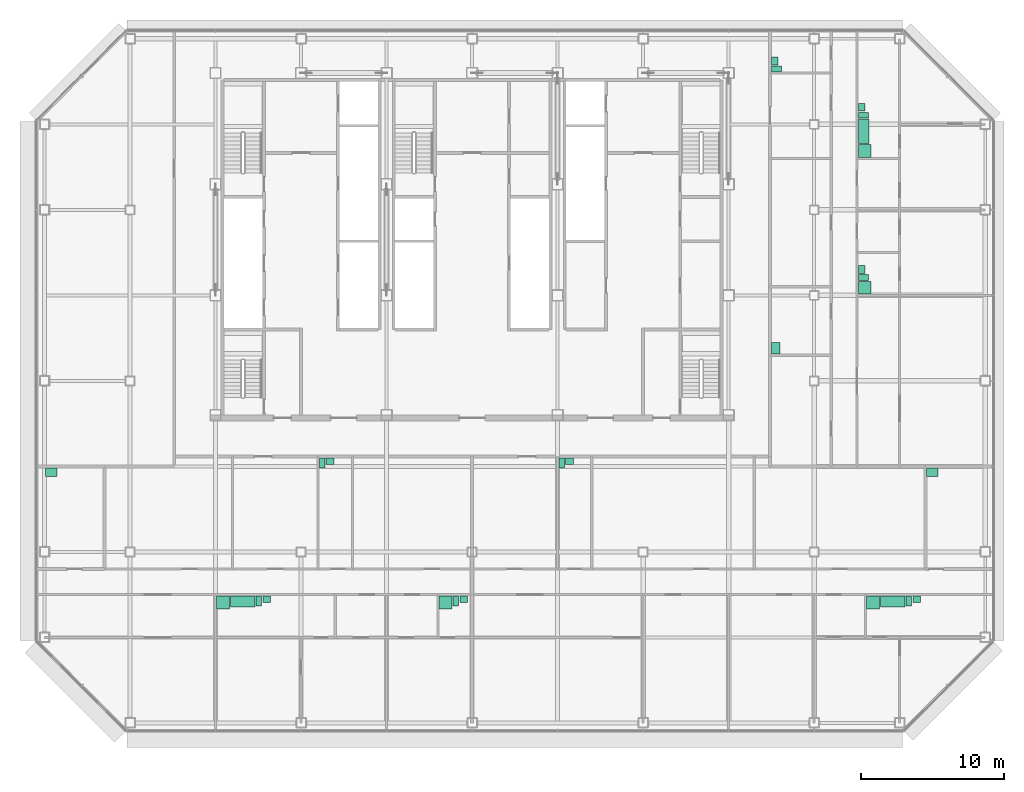
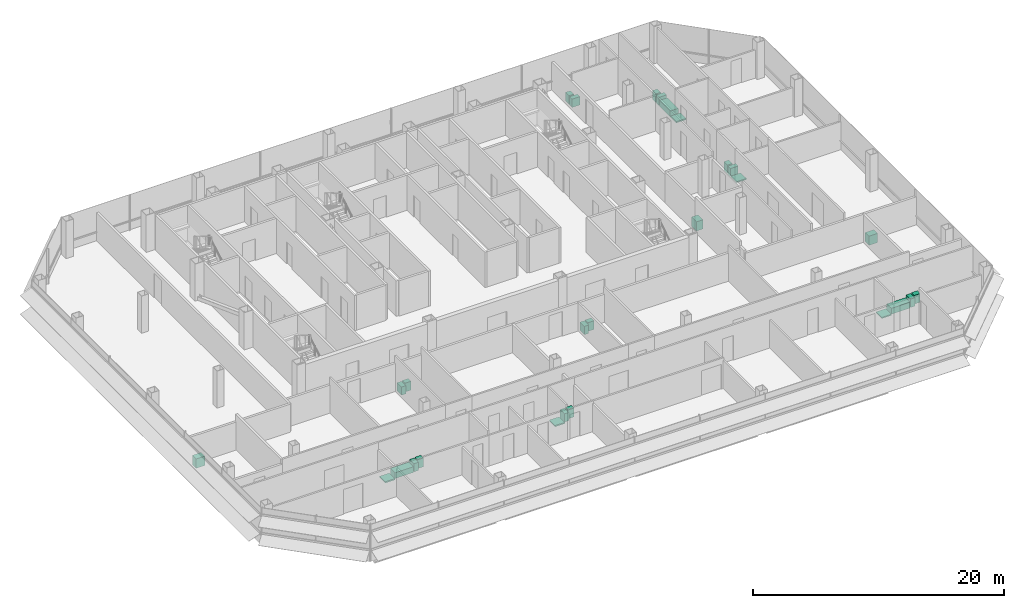
# One storey, part 26 of 26: 27 sanitary terminals.
"""IFC4 building model written with IfcOpenShell, lengths in metres."""

from ifc_helpers import new_model, si_unit, direction, frame, origin, origin_2d, place, context, subcontext, project, spatial, rectangle, extrude, element, save


model = new_model("IFC4")

# Units and contexts
model_context = context("Model", 3, precision=1e-05, world=origin(), true_north=direction((0.0, 1.0)))
body_context = subcontext(model_context, "Body", "Model", "MODEL_VIEW")
ifc_project = project(units=[si_unit("LENGTHUNIT", "METRE"), si_unit("AREAUNIT", "SQUARE_METRE"), si_unit("VOLUMEUNIT", "CUBIC_METRE"), si_unit("PLANEANGLEUNIT", "RADIAN"), si_unit("MASSUNIT", "GRAM", prefix="KILO")], contexts=[model_context])

# Site, building, storey
site_placement = place(None, origin())
site = spatial("IfcSite", under=ifc_project, at=site_placement, CompositionType="ELEMENT")
building_placement = place(site_placement, origin())
building = spatial("IfcBuilding", under=site, at=building_placement, Name="Sorahane Residences", CompositionType="ELEMENT")
storey_placement = place(building_placement, frame((0.0, 0.0, 147.39990234375)))
storey = spatial("IfcBuildingStorey", under=building, at=storey_placement, Name="L33", CompositionType="ELEMENT", Elevation=147.39990234375)

# Sanitary terminals
sanitary_terminal_1_placement = place(storey_placement, frame((6.530029296875, 8.449951171875, 0.0), z_axis=(0.0, 0.0, 1.0), x_axis=(1.0, 0.0, 0.0)))
element("IfcSanitaryTerminal", 1, at=sanitary_terminal_1_placement, inside=storey, Name="Shower tray En-suite bathroom 33A", PredefinedType="SHOWER", context=body_context, shape_type="SweptSolid", body=[
    extrude(rectangle(XDim=0.89990234375, YDim=0.89990234375, at=origin_2d()), origin(), (0.0, 0.0, 1.0), 0.1201171875),
])
sanitary_terminal_2_placement = place(storey_placement, frame((7.909912109375, 8.52490234375, 0.0), z_axis=(0.0, 0.0, 1.0), x_axis=(1.0, 0.0, 0.0)))
element("IfcSanitaryTerminal", 2, at=sanitary_terminal_2_placement, inside=storey, Name="Bath En-suite bathroom 33A", PredefinedType="BATH", context=body_context, shape_type="SweptSolid", body=[
    extrude(rectangle(XDim=1.699951171875, YDim=0.75, at=origin_2d()), origin(), (0.0, 0.0, 1.0), 0.56005859375),
])
sanitary_terminal_3_placement = place(storey_placement, frame((9.0400390625, 8.550048828125, 0.0), z_axis=(0.0, 0.0, 1.0), x_axis=(1.0, 0.0, 0.0)))
element("IfcSanitaryTerminal", 3, at=sanitary_terminal_3_placement, inside=storey, Name="WC pan En-suite bathroom 33A", PredefinedType="TOILETPAN", context=body_context, shape_type="SweptSolid", body=[
    extrude(rectangle(XDim=0.39990234375, YDim=0.699951171875, at=origin_2d()), origin(), (0.0, 0.0, 1.0), 0.800048828125),
])
sanitary_terminal_4_placement = place(storey_placement, frame((9.594970703125, 8.675048828125, 0.0), z_axis=(0.0, 0.0, 1.0), x_axis=(1.0, 0.0, 0.0)))
element("IfcSanitaryTerminal", 4, at=sanitary_terminal_4_placement, inside=storey, Name="Wash basin En-suite bathroom 33A", PredefinedType="WASHHANDBASIN", context=body_context, shape_type="SweptSolid", body=[
    extrude(rectangle(XDim=0.550048828125, YDim=0.449951171875, at=origin_2d()), origin(), (0.0, 0.0, 1.0), 0.85009765625),
])
sanitary_terminal_5_placement = place(storey_placement, frame((22.1298828125, 8.449951171875, 0.0), z_axis=(0.0, 0.0, 1.0), x_axis=(1.0, 0.0, 0.0)))
element("IfcSanitaryTerminal", 5, at=sanitary_terminal_5_placement, inside=storey, Name="Shower tray En-suite bathroom 33A-2", PredefinedType="SHOWER", context=body_context, shape_type="SweptSolid", body=[
    extrude(rectangle(XDim=0.89990234375, YDim=0.89990234375, at=origin_2d()), origin(), (0.0, 0.0, 1.0), 0.1201171875),
])
sanitary_terminal_6_placement = place(storey_placement, frame((22.860107421875, 8.550048828125, 0.0), z_axis=(0.0, 0.0, 1.0), x_axis=(1.0, 0.0, 0.0)))
element("IfcSanitaryTerminal", 6, at=sanitary_terminal_6_placement, inside=storey, Name="WC pan En-suite bathroom 33A-2", PredefinedType="TOILETPAN", context=body_context, shape_type="SweptSolid", body=[
    extrude(rectangle(XDim=0.39990234375, YDim=0.699951171875, at=origin_2d()), origin(), (0.0, 0.0, 1.0), 0.800048828125),
])
sanitary_terminal_7_placement = place(storey_placement, frame((23.4150390625, 8.675048828125, 0.0), z_axis=(0.0, 0.0, 1.0), x_axis=(1.0, 0.0, 0.0)))
element("IfcSanitaryTerminal", 7, at=sanitary_terminal_7_placement, inside=storey, Name="Wash basin En-suite bathroom 33A-2", PredefinedType="WASHHANDBASIN", context=body_context, shape_type="SweptSolid", body=[
    extrude(rectangle(XDim=0.550048828125, YDim=0.449951171875, at=origin_2d()), origin(), (0.0, 0.0, 1.0), 0.85009765625),
])
sanitary_terminal_8_placement = place(storey_placement, frame((-5.52001953125, 17.60009765625, 0.000244140625), z_axis=(0.0, 0.0, 1.0), x_axis=(1.0, 0.0, 0.0)))
element("IfcSanitaryTerminal", 8, at=sanitary_terminal_8_placement, inside=storey, Name="Kitchen sink Kitchen 33A", PredefinedType="SINK", context=body_context, shape_type="SweptSolid", body=[
    extrude(rectangle(XDim=0.800048828125, YDim=0.60009765625, at=origin_2d()), origin(), (0.0, 0.0, 1.0), 0.89990234375),
])
sanitary_terminal_9_placement = place(storey_placement, frame((13.47998046875, 18.25, 0.0), z_axis=(0.0, 0.0, 1.0), x_axis=(1.0, 0.0, 0.0)))
element("IfcSanitaryTerminal", 9, at=sanitary_terminal_9_placement, inside=storey, Name="WC pan Powder room 33A", PredefinedType="TOILETPAN", context=body_context, shape_type="SweptSolid", body=[
    extrude(rectangle(XDim=0.39990234375, YDim=0.699951171875, at=origin_2d()), origin(), (0.0, 0.0, 1.0), 0.800048828125),
])
sanitary_terminal_10_placement = place(storey_placement, frame((14.034912109375, 18.375, 0.0), z_axis=(0.0, 0.0, 1.0), x_axis=(1.0, 0.0, 0.0)))
element("IfcSanitaryTerminal", 10, at=sanitary_terminal_10_placement, inside=storey, Name="Wash basin Powder room 33A", PredefinedType="WASHHANDBASIN", context=body_context, shape_type="SweptSolid", body=[
    extrude(rectangle(XDim=0.550048828125, YDim=0.449951171875, at=origin_2d()), origin(), (0.0, 0.0, 1.0), 0.85009765625),
])
sanitary_terminal_11_placement = place(storey_placement, frame((52.1298828125, 8.449951171875, 0.0), z_axis=(0.0, 0.0, 1.0), x_axis=(1.0, 0.0, 0.0)))
element("IfcSanitaryTerminal", 11, at=sanitary_terminal_11_placement, inside=storey, Name="Shower tray En-suite bathroom 33B", PredefinedType="SHOWER", context=body_context, shape_type="SweptSolid", body=[
    extrude(rectangle(XDim=0.89990234375, YDim=0.89990234375, at=origin_2d()), origin(), (0.0, 0.0, 1.0), 0.1201171875),
])
sanitary_terminal_12_placement = place(storey_placement, frame((53.510009765625, 8.52490234375, 0.0), z_axis=(0.0, 0.0, 1.0), x_axis=(1.0, 0.0, 0.0)))
element("IfcSanitaryTerminal", 12, at=sanitary_terminal_12_placement, inside=storey, Name="Bath En-suite bathroom 33B", PredefinedType="BATH", context=body_context, shape_type="SweptSolid", body=[
    extrude(rectangle(XDim=1.699951171875, YDim=0.75, at=origin_2d()), origin(), (0.0, 0.0, 1.0), 0.56005859375),
])
sanitary_terminal_13_placement = place(storey_placement, frame((54.639892578125, 8.550048828125, 0.0), z_axis=(0.0, 0.0, 1.0), x_axis=(1.0, 0.0, 0.0)))
element("IfcSanitaryTerminal", 13, at=sanitary_terminal_13_placement, inside=storey, Name="WC pan En-suite bathroom 33B", PredefinedType="TOILETPAN", context=body_context, shape_type="SweptSolid", body=[
    extrude(rectangle(XDim=0.39990234375, YDim=0.699951171875, at=origin_2d()), origin(), (0.0, 0.0, 1.0), 0.800048828125),
])
sanitary_terminal_14_placement = place(storey_placement, frame((55.195068359375, 8.675048828125, 0.0), z_axis=(0.0, 0.0, 1.0), x_axis=(1.0, 0.0, 0.0)))
element("IfcSanitaryTerminal", 14, at=sanitary_terminal_14_placement, inside=storey, Name="Wash basin En-suite bathroom 33B", PredefinedType="WASHHANDBASIN", context=body_context, shape_type="SweptSolid", body=[
    extrude(rectangle(XDim=0.550048828125, YDim=0.449951171875, at=origin_2d()), origin(), (0.0, 0.0, 1.0), 0.85009765625),
])
sanitary_terminal_15_placement = place(storey_placement, frame((30.280029296875, 18.25, 0.0), z_axis=(0.0, 0.0, 1.0), x_axis=(1.0, 0.0, 0.0)))
element("IfcSanitaryTerminal", 15, at=sanitary_terminal_15_placement, inside=storey, Name="WC pan Guest WC 33B", PredefinedType="TOILETPAN", context=body_context, shape_type="SweptSolid", body=[
    extrude(rectangle(XDim=0.39990234375, YDim=0.699951171875, at=origin_2d()), origin(), (0.0, 0.0, 1.0), 0.800048828125),
])
sanitary_terminal_16_placement = place(storey_placement, frame((30.8349609375, 18.375, 0.0), z_axis=(0.0, 0.0, 1.0), x_axis=(1.0, 0.0, 0.0)))
element("IfcSanitaryTerminal", 16, at=sanitary_terminal_16_placement, inside=storey, Name="Wash basin Guest WC 33B", PredefinedType="WASHHANDBASIN", context=body_context, shape_type="SweptSolid", body=[
    extrude(rectangle(XDim=0.550048828125, YDim=0.449951171875, at=origin_2d()), origin(), (0.0, 0.0, 1.0), 0.85009765625),
])
sanitary_terminal_17_placement = place(storey_placement, frame((56.280029296875, 17.60009765625, 0.000244140625), z_axis=(0.0, 0.0, 1.0), x_axis=(1.0, 0.0, 0.0)))
element("IfcSanitaryTerminal", 17, at=sanitary_terminal_17_placement, inside=storey, Name="Kitchen sink Kitchen 33B", PredefinedType="SINK", context=body_context, shape_type="SweptSolid", body=[
    extrude(rectangle(XDim=0.800048828125, YDim=0.60009765625, at=origin_2d()), origin(), (0.0, 0.0, 1.0), 0.89990234375),
])
sanitary_terminal_18_placement = place(storey_placement, frame((51.550048828125, 30.530029296875, 0.0), z_axis=(0.0, 0.0, 1.0), x_axis=(0.0, 1.0, 0.0)))
element("IfcSanitaryTerminal", 18, at=sanitary_terminal_18_placement, inside=storey, Name="Shower tray En-suite bathroom 33C", PredefinedType="SHOWER", context=body_context, shape_type="SweptSolid", body=[
    extrude(rectangle(XDim=0.89990234375, YDim=0.89990234375, at=origin_2d()), origin(), (0.0, 0.0, 1.0), 0.1201171875),
])
sanitary_terminal_19_placement = place(storey_placement, frame((51.449951171875, 31.260009765625, 0.0), z_axis=(0.0, 0.0, 1.0), x_axis=(0.0, 1.0, 0.0)))
element("IfcSanitaryTerminal", 19, at=sanitary_terminal_19_placement, inside=storey, Name="WC pan En-suite bathroom 33C", PredefinedType="TOILETPAN", context=body_context, shape_type="SweptSolid", body=[
    extrude(rectangle(XDim=0.39990234375, YDim=0.699951171875, at=origin_2d()), origin(), (0.0, 0.0, 1.0), 0.800048828125),
])
sanitary_terminal_20_placement = place(storey_placement, frame((51.324951171875, 31.81494140625, 0.0), z_axis=(0.0, 0.0, 1.0), x_axis=(0.0, 1.0, 0.0)))
element("IfcSanitaryTerminal", 20, at=sanitary_terminal_20_placement, inside=storey, Name="Wash basin En-suite bathroom 33C", PredefinedType="WASHHANDBASIN", context=body_context, shape_type="SweptSolid", body=[
    extrude(rectangle(XDim=0.550048828125, YDim=0.449951171875, at=origin_2d()), origin(), (0.0, 0.0, 1.0), 0.85009765625),
])
sanitary_terminal_21_placement = place(storey_placement, frame((51.550048828125, 40.1298828125, 0.0), z_axis=(0.0, 0.0, 1.0), x_axis=(0.0, 1.0, 0.0)))
element("IfcSanitaryTerminal", 21, at=sanitary_terminal_21_placement, inside=storey, Name="Shower tray En-suite bathroom 33C-2", PredefinedType="SHOWER", context=body_context, shape_type="SweptSolid", body=[
    extrude(rectangle(XDim=0.89990234375, YDim=0.89990234375, at=origin_2d()), origin(), (0.0, 0.0, 1.0), 0.1201171875),
])
sanitary_terminal_22_placement = place(storey_placement, frame((51.47509765625, 41.510009765625, 0.0), z_axis=(0.0, 0.0, 1.0), x_axis=(0.0, 1.0, 0.0)))
element("IfcSanitaryTerminal", 22, at=sanitary_terminal_22_placement, inside=storey, Name="Bath En-suite bathroom 33C-2", PredefinedType="BATH", context=body_context, shape_type="SweptSolid", body=[
    extrude(rectangle(XDim=1.699951171875, YDim=0.75, at=origin_2d()), origin(), (0.0, 0.0, 1.0), 0.56005859375),
])
sanitary_terminal_23_placement = place(storey_placement, frame((51.449951171875, 42.639892578125, 0.0), z_axis=(0.0, 0.0, 1.0), x_axis=(0.0, 1.0, 0.0)))
element("IfcSanitaryTerminal", 23, at=sanitary_terminal_23_placement, inside=storey, Name="WC pan En-suite bathroom 33C-2", PredefinedType="TOILETPAN", context=body_context, shape_type="SweptSolid", body=[
    extrude(rectangle(XDim=0.39990234375, YDim=0.699951171875, at=origin_2d()), origin(), (0.0, 0.0, 1.0), 0.800048828125),
])
sanitary_terminal_24_placement = place(storey_placement, frame((51.324951171875, 43.195068359375, 0.0), z_axis=(0.0, 0.0, 1.0), x_axis=(0.0, 1.0, 0.0)))
element("IfcSanitaryTerminal", 24, at=sanitary_terminal_24_placement, inside=storey, Name="Wash basin En-suite bathroom 33C-2", PredefinedType="WASHHANDBASIN", context=body_context, shape_type="SweptSolid", body=[
    extrude(rectangle(XDim=0.550048828125, YDim=0.449951171875, at=origin_2d()), origin(), (0.0, 0.0, 1.0), 0.85009765625),
])
sanitary_terminal_25_placement = place(storey_placement, frame((45.300048828125, 26.280029296875, 0.000244140625), z_axis=(0.0, 0.0, 1.0), x_axis=(0.0, 1.0, 0.0)))
element("IfcSanitaryTerminal", 25, at=sanitary_terminal_25_placement, inside=storey, Name="Kitchen sink Kitchen 33C", PredefinedType="SINK", context=body_context, shape_type="SweptSolid", body=[
    extrude(rectangle(XDim=0.800048828125, YDim=0.60009765625, at=origin_2d()), origin(), (0.0, 0.0, 1.0), 0.89990234375),
])
sanitary_terminal_26_placement = place(storey_placement, frame((45.35009765625, 45.8798828125, 0.0), z_axis=(0.0, 0.0, 1.0), x_axis=(0.0, 1.0, 0.0)))
element("IfcSanitaryTerminal", 26, at=sanitary_terminal_26_placement, inside=storey, Name="WC pan Powder room 33C", PredefinedType="TOILETPAN", context=body_context, shape_type="SweptSolid", body=[
    extrude(rectangle(XDim=0.39990234375, YDim=0.699951171875, at=origin_2d()), origin(), (0.0, 0.0, 1.0), 0.800048828125),
])
sanitary_terminal_27_placement = place(storey_placement, frame((45.22509765625, 46.43505859375, 0.0), z_axis=(0.0, 0.0, 1.0), x_axis=(0.0, 1.0, 0.0)))
element("IfcSanitaryTerminal", 27, at=sanitary_terminal_27_placement, inside=storey, Name="Wash basin Powder room 33C", PredefinedType="WASHHANDBASIN", context=body_context, shape_type="SweptSolid", body=[
    extrude(rectangle(XDim=0.550048828125, YDim=0.449951171875, at=origin_2d()), origin(), (0.0, 0.0, 1.0), 0.85009765625),
])

save(model, "model.ifc")
